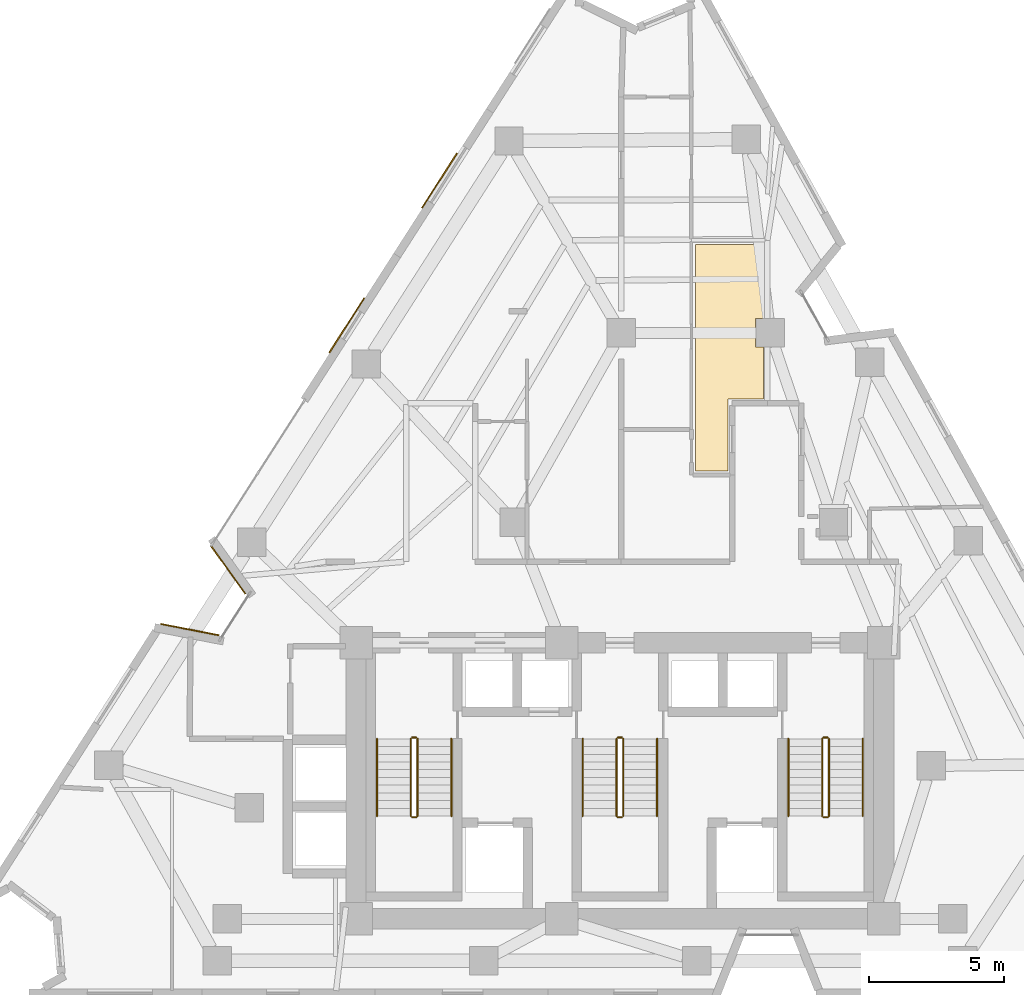
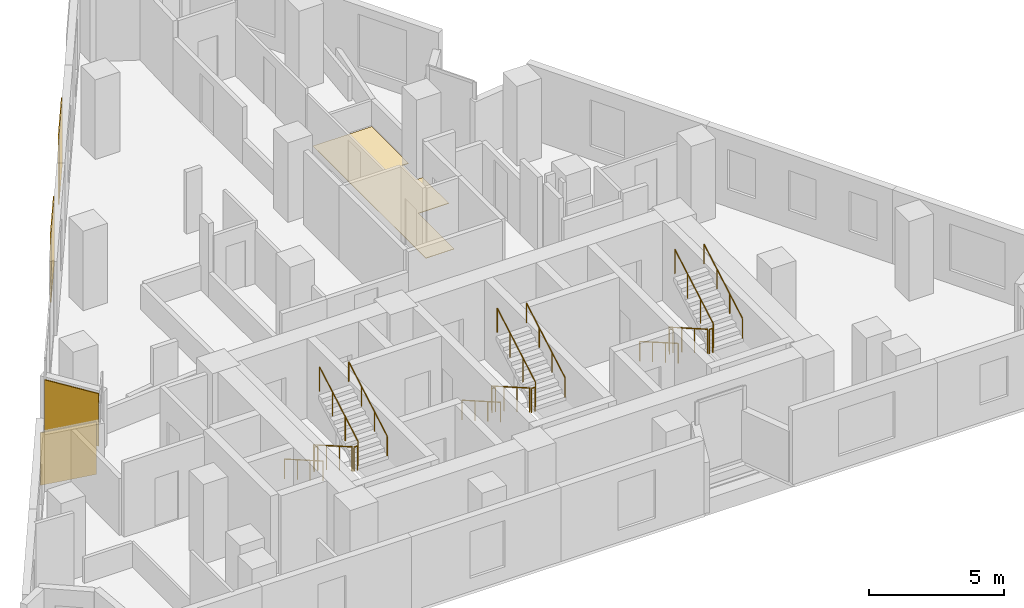
# One storey, part 9 of 10: 18 railings, 5 coverings.
"""IFC4 building model written with IfcOpenShell, lengths in metres."""

from ifc_helpers import new_model, si_unit, direction, frame, origin, origin_2d, place, context, subcontext, project, spatial, polyline, rectangle, circle, outline, extrude, material, layer, layer_set, type_object, element, save


model = new_model("IFC4")

# Units and contexts
model_context = context("Model", 3, precision=1e-05, world=origin(), true_north=direction((0.0, 1.0)))
body_context = subcontext(model_context, "Body", "Model", "MODEL_VIEW")
ifc_project = project(units=[si_unit("LENGTHUNIT", "METRE"), si_unit("AREAUNIT", "SQUARE_METRE"), si_unit("VOLUMEUNIT", "CUBIC_METRE"), si_unit("PLANEANGLEUNIT", "RADIAN"), si_unit("MASSUNIT", "GRAM", prefix="KILO")], contexts=[model_context])

# Site, building, storey
site_placement = place(None, origin())
site = spatial("IfcSite", under=ifc_project, at=site_placement, CompositionType="ELEMENT")
building_placement = place(site_placement, origin())
building = spatial("IfcBuilding", under=site, at=building_placement, Name="Almagre Mirador Tower", CompositionType="ELEMENT")
storey_placement = place(building_placement, frame((0.0, 0.0, 171.60009765625)))
storey = spatial("IfcBuildingStorey", under=building, at=storey_placement, Name="L44", CompositionType="ELEMENT", Elevation=171.60009765625)

# Coverings
ifc_material_1 = material(Name="Almagre terracotta architectural cladding", Category="masonry")
ifc_layer_1 = layer(ifc_material_1, 0.044921875)
ifc_layer_set_1 = layer_set([ifc_layer_1], Name="Almagre terracotta architectural cladding")
covering_type_1 = type_object("IfcCoveringType", Name="COV-CLAD-ALMAGRE", PredefinedType="CLADDING", material=ifc_layer_set_1)
covering_1_placement = place(storey_placement, frame((21.409912109375, 15.2353515625, 0.099853515625), z_axis=(0.0, 0.0, 1.0), x_axis=(0.981760154029, -0.190123643878, 0.0)))
element("IfcCovering", 1, at=covering_1_placement, inside=storey, type_object=covering_type_1, Name="L44 almagre terracotta pier cladding", PredefinedType="CLADDING", context=body_context, shape_type="SweptSolid", body=[
    extrude(rectangle(XDim=2.194091796875, YDim=0.044921875, at=origin_2d()), origin(), (0.0, 0.0, 1.0), 2.375),
])
covering_2_placement = place(storey_placement, frame((22.826416015625, 17.44482421875, 0.099853515625), z_axis=(0.0, 0.0, 1.0), x_axis=(-0.583186817535, 0.812338067466, 0.0)))
element("IfcCovering", 2, at=covering_2_placement, inside=storey, type_object=covering_type_1, Name="L44 almagre terracotta pier cladding", PredefinedType="CLADDING", context=body_context, shape_type="SweptSolid", body=[
    extrude(rectangle(XDim=2.193115234375, YDim=0.044921875, at=origin_2d()), origin(), (0.0, 0.0, 1.0), 2.375),
])
for number, where, z_axis, x_axis, name in (
    (3, (27.208984375, 26.478759765625, 0.099853515625), (0.0, 0.0, 1.0), (0.539505758171, 0.841981910079, 0.0), "L44 almagre terracotta pier cladding"),
    (4, (30.634521484375, 31.824462890625, 0.099853515625), (0.0, 0.0, 1.0), (0.539491062732, 0.841991326103, 0.0), "L44 almagre terracotta pier cladding"),
):
    element("IfcCovering", number, at=place(storey_placement, frame(where, z_axis=z_axis, x_axis=x_axis)), inside=storey, type_object=covering_type_1, Name=name, PredefinedType="CLADDING", context=body_context, shape_type="SweptSolid", body=[
        extrude(rectangle(XDim=2.39990234375, YDim=0.044921875, at=origin_2d()), origin(), (0.0, 0.0, 1.0), 3.14990234375),
    ])
ifc_material_2 = material(Name="Engineered white oak flooring", Category="wood")
ifc_layer_2 = layer(ifc_material_2, 0.01806640625)
ifc_layer_set_2 = layer_set([ifc_layer_2], Name="Engineered white oak flooring")
covering_type_2 = type_object("IfcCoveringType", Name="COV-FLR-OAK-18", PredefinedType="FLOORING", material=ifc_layer_set_2)
covering_3_placement = place(storey_placement, origin())
element("IfcCovering", 5, at=covering_3_placement, inside=storey, type_object=covering_type_2, Name="L44 Unit L44-H Living and Dining Room finish flooring", PredefinedType="FLOORING", context=body_context, shape_type="SweptSolid", body=[
    extrude(outline(polyline([(41.300048828125, 23.75), (41.300048828125, 21.10009765625), (40.090087890625, 21.10009765625), (40.090087890625, 29.469970703125), (42.60009765625, 29.469970703125), (42.60009765625, 26.72998046875), (42.320068359375, 26.72998046875), (42.320068359375, 25.669921875), (42.60009765625, 25.669921875), (42.60009765625, 23.75), (41.300048828125, 23.75)])), origin(), (0.0, 0.0, 1.0), 0.017822265625),
])

# Railings
ifc_material_3 = material(Name="Painted galvanized steel", Category="steel")
railing_type_1 = type_object("IfcRailingType", Name="RLG-GRD-1100", PredefinedType="GUARDRAIL", material=ifc_material_3)
railing_1_placement = place(storey_placement, frame((29.574951171875, 11.199951171875, 0.16357421875)))
element("IfcRailing", 6, at=railing_1_placement, inside=storey, type_object=railing_type_1, Name="L44 ST-1 stair guard 1", PredefinedType="GUARDRAIL", context=body_context, shape_type="SweptSolid", body=[
    extrude(circle(Radius=0.02392578125, at=origin_2d()), frame((0.0, 0.0, 1.09619140625), z_axis=(0.0, -0.867226363773, 0.497914082927), x_axis=(1.0, 0.0, 0.0)), (0.0, 0.0, 1.0), 3.2861328125),
    extrude(circle(Radius=0.02099609375, at=origin_2d()), origin(), (0.0, 0.0, 1.0), 1.072021484375),
    extrude(circle(Radius=0.02099609375, at=origin_2d()), frame((0.0, -0.949951171875, 0.54541015625)), (0.0, 0.0, 1.0), 1.072021484375),
    extrude(circle(Radius=0.02099609375, at=origin_2d()), frame((0.0, -1.89990234375, 1.0908203125)), (0.0, 0.0, 1.0), 1.072021484375),
    extrude(circle(Radius=0.02099609375, at=origin_2d()), frame((0.0, -2.849853515625, 1.63623046875)), (0.0, 0.0, 1.0), 1.072021484375),
])
railing_2_placement = place(storey_placement, frame((29.625, 8.300048828125, 1.7998046875)))
element("IfcRailing", 7, at=railing_2_placement, inside=storey, type_object=railing_type_1, Name="L44 ST-1 stair guard 2", PredefinedType="GUARDRAIL", context=body_context, shape_type="SweptSolid", body=[
    extrude(circle(Radius=0.02392578125, at=origin_2d()), frame((0.0, 0.0, 1.09619140625), z_axis=(1.0, 0.0, 0.0), x_axis=(0.0, 1.0, 0.0)), (0.0, 0.0, 1.0), 0.14990234375),
    extrude(circle(Radius=0.02099609375, at=origin_2d()), origin(), (0.0, 0.0, 1.0), 1.072021484375),
    extrude(circle(Radius=0.02099609375, at=origin_2d()), frame((0.14990234375, 0.0, 0.0)), (0.0, 0.0, 1.0), 1.072021484375),
])
railing_3_placement = place(storey_placement, frame((29.824951171875, 8.35009765625, 1.963623046875)))
element("IfcRailing", 8, at=railing_3_placement, inside=storey, type_object=railing_type_1, Name="L44 ST-1 stair guard 3", PredefinedType="GUARDRAIL", context=body_context, shape_type="SweptSolid", body=[
    extrude(circle(Radius=0.02392578125, at=origin_2d()), frame((0.0, 0.0, 1.09619140625), z_axis=(0.0, 0.867226363773, 0.497914082927), x_axis=(-1.0, 0.0, 0.0)), (0.0, 0.0, 1.0), 3.2861328125),
    extrude(circle(Radius=0.02099609375, at=origin_2d()), origin(), (0.0, 0.0, 1.0), 1.072021484375),
    extrude(circle(Radius=0.02099609375, at=origin_2d()), frame((0.0, 0.949951171875, 0.54541015625)), (0.0, 0.0, 1.0), 1.072021484375),
    extrude(circle(Radius=0.02099609375, at=origin_2d()), frame((0.0, 1.89990234375, 1.0908203125)), (0.0, 0.0, 1.0), 1.072021484375),
    extrude(circle(Radius=0.02099609375, at=origin_2d()), frame((0.0, 2.849853515625, 1.63623046875)), (0.0, 0.0, 1.0), 1.072021484375),
])
railing_4_placement = place(storey_placement, frame((29.625, 11.25, 0.0)))
element("IfcRailing", 9, at=railing_4_placement, inside=storey, type_object=railing_type_1, Name="L44 ST-1 stair guard 4", PredefinedType="GUARDRAIL", context=body_context, shape_type="SweptSolid", body=[
    extrude(circle(Radius=0.02392578125, at=origin_2d()), frame((0.0, 0.0, 1.09619140625), z_axis=(1.0, 0.0, 0.0), x_axis=(0.0, 1.0, 0.0)), (0.0, 0.0, 1.0), 0.14990234375),
    extrude(circle(Radius=0.02099609375, at=origin_2d()), origin(), (0.0, 0.0, 1.0), 1.072021484375),
    extrude(circle(Radius=0.02099609375, at=origin_2d()), frame((0.14990234375, 0.0, 0.0)), (0.0, 0.0, 1.0), 1.072021484375),
])
railing_5_placement = place(storey_placement, frame((37.175048828125, 11.199951171875, 0.16357421875)))
element("IfcRailing", 10, at=railing_5_placement, inside=storey, type_object=railing_type_1, Name="L44 ST-2 stair guard 1", PredefinedType="GUARDRAIL", context=body_context, shape_type="SweptSolid", body=[
    extrude(circle(Radius=0.02392578125, at=origin_2d()), frame((0.0, 0.0, 1.09619140625), z_axis=(0.0, -0.867226363773, 0.497914082927), x_axis=(1.0, 0.0, 0.0)), (0.0, 0.0, 1.0), 3.2861328125),
    extrude(circle(Radius=0.02099609375, at=origin_2d()), origin(), (0.0, 0.0, 1.0), 1.072021484375),
    extrude(circle(Radius=0.02099609375, at=origin_2d()), frame((0.0, -0.949951171875, 0.54541015625)), (0.0, 0.0, 1.0), 1.072021484375),
    extrude(circle(Radius=0.02099609375, at=origin_2d()), frame((0.0, -1.89990234375, 1.0908203125)), (0.0, 0.0, 1.0), 1.072021484375),
    extrude(circle(Radius=0.02099609375, at=origin_2d()), frame((0.0, -2.849853515625, 1.63623046875)), (0.0, 0.0, 1.0), 1.072021484375),
])
railing_6_placement = place(storey_placement, frame((37.22509765625, 8.300048828125, 1.7998046875)))
element("IfcRailing", 11, at=railing_6_placement, inside=storey, type_object=railing_type_1, Name="L44 ST-2 stair guard 2", PredefinedType="GUARDRAIL", context=body_context, shape_type="SweptSolid", body=[
    extrude(circle(Radius=0.02392578125, at=origin_2d()), frame((0.0, 0.0, 1.09619140625), z_axis=(1.0, 0.0, 0.0), x_axis=(0.0, 1.0, 0.0)), (0.0, 0.0, 1.0), 0.14990234375),
    extrude(circle(Radius=0.02099609375, at=origin_2d()), origin(), (0.0, 0.0, 1.0), 1.072021484375),
    extrude(circle(Radius=0.02099609375, at=origin_2d()), frame((0.14990234375, 0.0, 0.0)), (0.0, 0.0, 1.0), 1.072021484375),
])
railing_7_placement = place(storey_placement, frame((37.425048828125, 8.35009765625, 1.963623046875)))
element("IfcRailing", 12, at=railing_7_placement, inside=storey, type_object=railing_type_1, Name="L44 ST-2 stair guard 3", PredefinedType="GUARDRAIL", context=body_context, shape_type="SweptSolid", body=[
    extrude(circle(Radius=0.02392578125, at=origin_2d()), frame((0.0, 0.0, 1.09619140625), z_axis=(0.0, 0.867226363773, 0.497914082927), x_axis=(-1.0, 0.0, 0.0)), (0.0, 0.0, 1.0), 3.2861328125),
    extrude(circle(Radius=0.02099609375, at=origin_2d()), origin(), (0.0, 0.0, 1.0), 1.072021484375),
    extrude(circle(Radius=0.02099609375, at=origin_2d()), frame((0.0, 0.949951171875, 0.54541015625)), (0.0, 0.0, 1.0), 1.072021484375),
    extrude(circle(Radius=0.02099609375, at=origin_2d()), frame((0.0, 1.89990234375, 1.0908203125)), (0.0, 0.0, 1.0), 1.072021484375),
    extrude(circle(Radius=0.02099609375, at=origin_2d()), frame((0.0, 2.849853515625, 1.63623046875)), (0.0, 0.0, 1.0), 1.072021484375),
])
railing_8_placement = place(storey_placement, frame((37.22509765625, 11.25, 0.0)))
element("IfcRailing", 13, at=railing_8_placement, inside=storey, type_object=railing_type_1, Name="L44 ST-2 stair guard 4", PredefinedType="GUARDRAIL", context=body_context, shape_type="SweptSolid", body=[
    extrude(circle(Radius=0.02392578125, at=origin_2d()), frame((0.0, 0.0, 1.09619140625), z_axis=(1.0, 0.0, 0.0), x_axis=(0.0, 1.0, 0.0)), (0.0, 0.0, 1.0), 0.14990234375),
    extrude(circle(Radius=0.02099609375, at=origin_2d()), origin(), (0.0, 0.0, 1.0), 1.072021484375),
    extrude(circle(Radius=0.02099609375, at=origin_2d()), frame((0.14990234375, 0.0, 0.0)), (0.0, 0.0, 1.0), 1.072021484375),
])
railing_9_placement = place(storey_placement, frame((44.77490234375, 11.199951171875, 0.16357421875)))
element("IfcRailing", 14, at=railing_9_placement, inside=storey, type_object=railing_type_1, Name="L44 ST-3 stair guard 1", PredefinedType="GUARDRAIL", context=body_context, shape_type="SweptSolid", body=[
    extrude(circle(Radius=0.02392578125, at=origin_2d()), frame((0.0, 0.0, 1.09619140625), z_axis=(0.0, -0.867226363773, 0.497914082927), x_axis=(1.0, 0.0, 0.0)), (0.0, 0.0, 1.0), 3.2861328125),
    extrude(circle(Radius=0.02099609375, at=origin_2d()), origin(), (0.0, 0.0, 1.0), 1.072021484375),
    extrude(circle(Radius=0.02099609375, at=origin_2d()), frame((0.0, -0.949951171875, 0.54541015625)), (0.0, 0.0, 1.0), 1.072021484375),
    extrude(circle(Radius=0.02099609375, at=origin_2d()), frame((0.0, -1.89990234375, 1.0908203125)), (0.0, 0.0, 1.0), 1.072021484375),
    extrude(circle(Radius=0.02099609375, at=origin_2d()), frame((0.0, -2.849853515625, 1.63623046875)), (0.0, 0.0, 1.0), 1.072021484375),
])
railing_10_placement = place(storey_placement, frame((44.824951171875, 8.300048828125, 1.7998046875)))
element("IfcRailing", 15, at=railing_10_placement, inside=storey, type_object=railing_type_1, Name="L44 ST-3 stair guard 2", PredefinedType="GUARDRAIL", context=body_context, shape_type="SweptSolid", body=[
    extrude(circle(Radius=0.02392578125, at=origin_2d()), frame((0.0, 0.0, 1.09619140625), z_axis=(1.0, 0.0, 0.0), x_axis=(0.0, 1.0, 0.0)), (0.0, 0.0, 1.0), 0.150146484375),
    extrude(circle(Radius=0.02099609375, at=origin_2d()), origin(), (0.0, 0.0, 1.0), 1.072021484375),
    extrude(circle(Radius=0.02099609375, at=origin_2d()), frame((0.150146484375, 0.0, 0.0)), (0.0, 0.0, 1.0), 1.072021484375),
])
railing_11_placement = place(storey_placement, frame((45.02490234375, 8.35009765625, 1.963623046875)))
element("IfcRailing", 16, at=railing_11_placement, inside=storey, type_object=railing_type_1, Name="L44 ST-3 stair guard 3", PredefinedType="GUARDRAIL", context=body_context, shape_type="SweptSolid", body=[
    extrude(circle(Radius=0.02392578125, at=origin_2d()), frame((0.0, 0.0, 1.09619140625), z_axis=(0.0, 0.867226363773, 0.497914082927), x_axis=(-1.0, 0.0, 0.0)), (0.0, 0.0, 1.0), 3.2861328125),
    extrude(circle(Radius=0.02099609375, at=origin_2d()), origin(), (0.0, 0.0, 1.0), 1.072021484375),
    extrude(circle(Radius=0.02099609375, at=origin_2d()), frame((0.0, 0.949951171875, 0.54541015625)), (0.0, 0.0, 1.0), 1.072021484375),
    extrude(circle(Radius=0.02099609375, at=origin_2d()), frame((0.0, 1.89990234375, 1.0908203125)), (0.0, 0.0, 1.0), 1.072021484375),
    extrude(circle(Radius=0.02099609375, at=origin_2d()), frame((0.0, 2.849853515625, 1.63623046875)), (0.0, 0.0, 1.0), 1.072021484375),
])
railing_12_placement = place(storey_placement, frame((44.824951171875, 11.25, 0.0)))
element("IfcRailing", 17, at=railing_12_placement, inside=storey, type_object=railing_type_1, Name="L44 ST-3 stair guard 4", PredefinedType="GUARDRAIL", context=body_context, shape_type="SweptSolid", body=[
    extrude(circle(Radius=0.02392578125, at=origin_2d()), frame((0.0, 0.0, 1.09619140625), z_axis=(1.0, 0.0, 0.0), x_axis=(0.0, 1.0, 0.0)), (0.0, 0.0, 1.0), 0.150146484375),
    extrude(circle(Radius=0.02099609375, at=origin_2d()), origin(), (0.0, 0.0, 1.0), 1.072021484375),
    extrude(circle(Radius=0.02099609375, at=origin_2d()), frame((0.150146484375, 0.0, 0.0)), (0.0, 0.0, 1.0), 1.072021484375),
])
ifc_material_4 = material(Name="Brushed stainless steel", Category="steel")
railing_type_2 = type_object("IfcRailingType", Name="RLG-HND-915", PredefinedType="HANDRAIL", material=ifc_material_4)
railing_13_placement = place(storey_placement, frame((28.324951171875, 11.199951171875, 0.16357421875)))
element("IfcRailing", 18, at=railing_13_placement, inside=storey, type_object=railing_type_2, Name="L44 ST-1 stair handrail 1", PredefinedType="HANDRAIL", context=body_context, shape_type="SweptSolid", body=[
    extrude(circle(Radius=0.02392578125, at=origin_2d()), frame((0.0, 0.0, 0.89111328125), z_axis=(0.0, -0.867226363773, 0.497914082927), x_axis=(1.0, 0.0, 0.0)), (0.0, 0.0, 1.0), 3.2861328125),
    extrude(circle(Radius=0.02099609375, at=origin_2d()), origin(), (0.0, 0.0, 1.0), 0.866943359375),
    extrude(circle(Radius=0.02099609375, at=origin_2d()), frame((0.0, -0.949951171875, 0.54541015625)), (0.0, 0.0, 1.0), 0.866943359375),
    extrude(circle(Radius=0.02099609375, at=origin_2d()), frame((0.0, -1.89990234375, 1.0908203125)), (0.0, 0.0, 1.0), 0.866943359375),
    extrude(circle(Radius=0.02099609375, at=origin_2d()), frame((0.0, -2.849853515625, 1.63623046875)), (0.0, 0.0, 1.0), 0.866943359375),
])
railing_14_placement = place(storey_placement, frame((31.074951171875, 8.35009765625, 1.963623046875)))
element("IfcRailing", 19, at=railing_14_placement, inside=storey, type_object=railing_type_2, Name="L44 ST-1 stair handrail 2", PredefinedType="HANDRAIL", context=body_context, shape_type="SweptSolid", body=[
    extrude(circle(Radius=0.02392578125, at=origin_2d()), frame((0.0, 0.0, 0.89111328125), z_axis=(0.0, 0.867226363773, 0.497914082927), x_axis=(-1.0, 0.0, 0.0)), (0.0, 0.0, 1.0), 3.2861328125),
    extrude(circle(Radius=0.02099609375, at=origin_2d()), origin(), (0.0, 0.0, 1.0), 0.866943359375),
    extrude(circle(Radius=0.02099609375, at=origin_2d()), frame((0.0, 0.949951171875, 0.54541015625)), (0.0, 0.0, 1.0), 0.866943359375),
    extrude(circle(Radius=0.02099609375, at=origin_2d()), frame((0.0, 1.89990234375, 1.0908203125)), (0.0, 0.0, 1.0), 0.866943359375),
    extrude(circle(Radius=0.02099609375, at=origin_2d()), frame((0.0, 2.849853515625, 1.63623046875)), (0.0, 0.0, 1.0), 0.866943359375),
])
railing_15_placement = place(storey_placement, frame((35.925048828125, 11.199951171875, 0.16357421875)))
element("IfcRailing", 20, at=railing_15_placement, inside=storey, type_object=railing_type_2, Name="L44 ST-2 stair handrail 1", PredefinedType="HANDRAIL", context=body_context, shape_type="SweptSolid", body=[
    extrude(circle(Radius=0.02392578125, at=origin_2d()), frame((0.0, 0.0, 0.89111328125), z_axis=(0.0, -0.867226363773, 0.497914082927), x_axis=(1.0, 0.0, 0.0)), (0.0, 0.0, 1.0), 3.2861328125),
    extrude(circle(Radius=0.02099609375, at=origin_2d()), origin(), (0.0, 0.0, 1.0), 0.866943359375),
    extrude(circle(Radius=0.02099609375, at=origin_2d()), frame((0.0, -0.949951171875, 0.54541015625)), (0.0, 0.0, 1.0), 0.866943359375),
    extrude(circle(Radius=0.02099609375, at=origin_2d()), frame((0.0, -1.89990234375, 1.0908203125)), (0.0, 0.0, 1.0), 0.866943359375),
    extrude(circle(Radius=0.02099609375, at=origin_2d()), frame((0.0, -2.849853515625, 1.63623046875)), (0.0, 0.0, 1.0), 0.866943359375),
])
railing_16_placement = place(storey_placement, frame((38.675048828125, 8.35009765625, 1.963623046875)))
element("IfcRailing", 21, at=railing_16_placement, inside=storey, type_object=railing_type_2, Name="L44 ST-2 stair handrail 2", PredefinedType="HANDRAIL", context=body_context, shape_type="SweptSolid", body=[
    extrude(circle(Radius=0.02392578125, at=origin_2d()), frame((0.0, 0.0, 0.89111328125), z_axis=(0.0, 0.867226363773, 0.497914082927), x_axis=(-1.0, 0.0, 0.0)), (0.0, 0.0, 1.0), 3.2861328125),
    extrude(circle(Radius=0.02099609375, at=origin_2d()), origin(), (0.0, 0.0, 1.0), 0.866943359375),
    extrude(circle(Radius=0.02099609375, at=origin_2d()), frame((0.0, 0.949951171875, 0.54541015625)), (0.0, 0.0, 1.0), 0.866943359375),
    extrude(circle(Radius=0.02099609375, at=origin_2d()), frame((0.0, 1.89990234375, 1.0908203125)), (0.0, 0.0, 1.0), 0.866943359375),
    extrude(circle(Radius=0.02099609375, at=origin_2d()), frame((0.0, 2.849853515625, 1.63623046875)), (0.0, 0.0, 1.0), 0.866943359375),
])
railing_17_placement = place(storey_placement, frame((43.52490234375, 11.199951171875, 0.16357421875)))
element("IfcRailing", 22, at=railing_17_placement, inside=storey, type_object=railing_type_2, Name="L44 ST-3 stair handrail 1", PredefinedType="HANDRAIL", context=body_context, shape_type="SweptSolid", body=[
    extrude(circle(Radius=0.02392578125, at=origin_2d()), frame((0.0, 0.0, 0.89111328125), z_axis=(0.0, -0.867226363773, 0.497914082927), x_axis=(1.0, 0.0, 0.0)), (0.0, 0.0, 1.0), 3.2861328125),
    extrude(circle(Radius=0.02099609375, at=origin_2d()), origin(), (0.0, 0.0, 1.0), 0.866943359375),
    extrude(circle(Radius=0.02099609375, at=origin_2d()), frame((0.0, -0.949951171875, 0.54541015625)), (0.0, 0.0, 1.0), 0.866943359375),
    extrude(circle(Radius=0.02099609375, at=origin_2d()), frame((0.0, -1.89990234375, 1.0908203125)), (0.0, 0.0, 1.0), 0.866943359375),
    extrude(circle(Radius=0.02099609375, at=origin_2d()), frame((0.0, -2.849853515625, 1.63623046875)), (0.0, 0.0, 1.0), 0.866943359375),
])
railing_18_placement = place(storey_placement, frame((46.27490234375, 8.35009765625, 1.963623046875)))
element("IfcRailing", 23, at=railing_18_placement, inside=storey, type_object=railing_type_2, Name="L44 ST-3 stair handrail 2", PredefinedType="HANDRAIL", context=body_context, shape_type="SweptSolid", body=[
    extrude(circle(Radius=0.02392578125, at=origin_2d()), frame((0.0, 0.0, 0.89111328125), z_axis=(0.0, 0.867226363773, 0.497914082927), x_axis=(-1.0, 0.0, 0.0)), (0.0, 0.0, 1.0), 3.2861328125),
    extrude(circle(Radius=0.02099609375, at=origin_2d()), origin(), (0.0, 0.0, 1.0), 0.866943359375),
    extrude(circle(Radius=0.02099609375, at=origin_2d()), frame((0.0, 0.949951171875, 0.54541015625)), (0.0, 0.0, 1.0), 0.866943359375),
    extrude(circle(Radius=0.02099609375, at=origin_2d()), frame((0.0, 1.89990234375, 1.0908203125)), (0.0, 0.0, 1.0), 0.866943359375),
    extrude(circle(Radius=0.02099609375, at=origin_2d()), frame((0.0, 2.849853515625, 1.63623046875)), (0.0, 0.0, 1.0), 0.866943359375),
])

save(model, "model.ifc")
